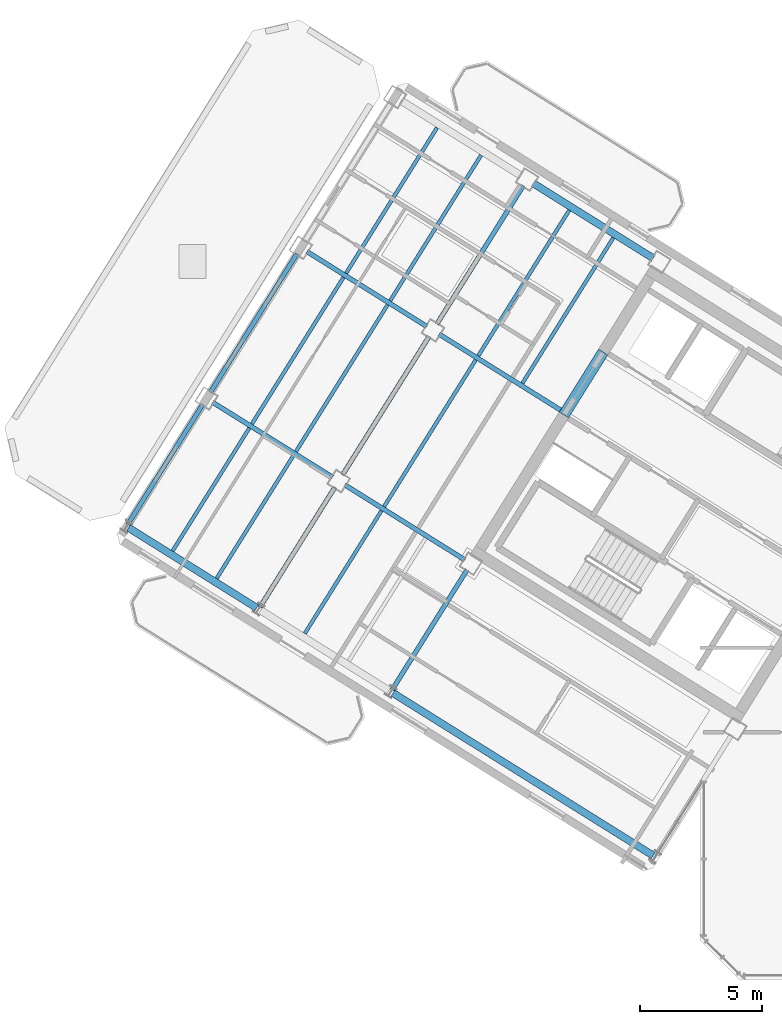
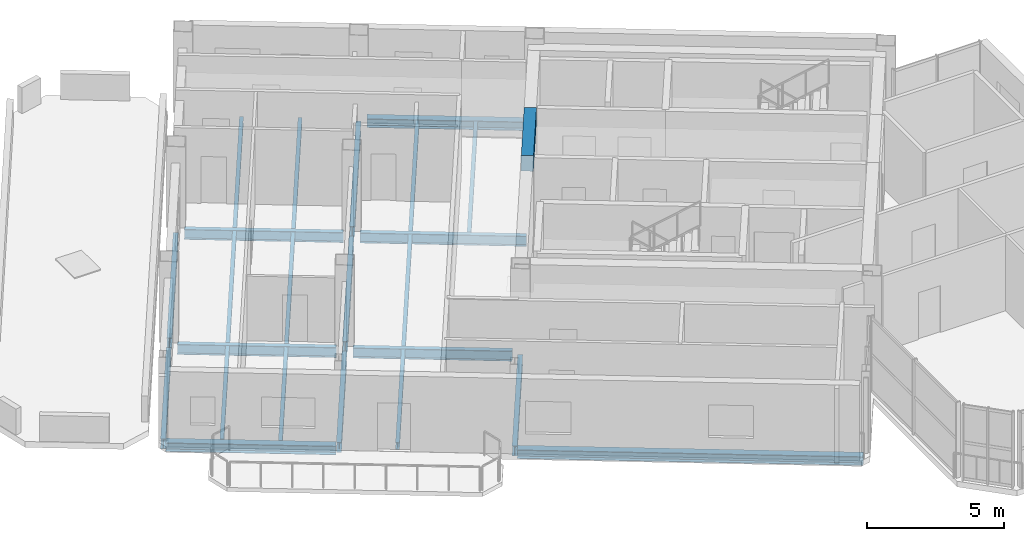
# One storey, part 3 of 12: 24 beams.
"""IFC4 building model written with IfcOpenShell, lengths in metres."""

from ifc_helpers import new_model, si_unit, direction, frame, origin, origin_2d, place, context, subcontext, project, spatial, rectangle, i_section, extrude, source, transform, mapped, material, material_profile, profile_set, type_object, element, save


model = new_model("IFC4")

# Units and contexts
model_context = context("Model", 3, precision=1e-05, world=origin(), true_north=direction((0.0, 1.0)))
body_context = subcontext(model_context, "Body", "Model", "MODEL_VIEW")
ifc_project = project(units=[si_unit("LENGTHUNIT", "METRE"), si_unit("AREAUNIT", "SQUARE_METRE"), si_unit("VOLUMEUNIT", "CUBIC_METRE"), si_unit("PLANEANGLEUNIT", "RADIAN"), si_unit("MASSUNIT", "GRAM", prefix="KILO")], contexts=[model_context])

# Site, building, storey
site_placement = place(None, origin())
site = spatial("IfcSite", under=ifc_project, at=site_placement, CompositionType="ELEMENT")
building_placement = place(site_placement, origin())
building = spatial("IfcBuilding", under=site, at=building_placement, Name="Tlacorven Tower", CompositionType="ELEMENT")
storey_placement = place(building_placement, frame((0.0, 0.0, 280.800048828125)))
storey = spatial("IfcBuildingStorey", under=building, at=storey_placement, Name="L71", CompositionType="ELEMENT", Elevation=280.800048828125)

# Beams
ifc_material_1 = material(Name="Concrete C60/75", Category="concrete")
ifc_material_profile_1 = material_profile(ifc_material_1, rectangle(XDim=0.449951171875, YDim=0.699951171875, at=origin_2d()), Name="RC 450X700")
ifc_profile_set_1 = profile_set([ifc_material_profile_1], Name="Concrete C60/75")
beam_type_1 = type_object("IfcBeamType", Name="BM-LNT-700", PredefinedType="LINTEL", material=ifc_profile_set_1)
shared_shape_1 = source(origin(), body_context, "Body", "SweptSolid", [
    extrude(rectangle(XDim=0.449951171875, YDim=0.699951171875, at=origin_2d()), origin(), (0.0, 0.0, 1.0), 3.0498046875),
])
beam_1_placement = place(storey_placement, frame((27.622802734375, 27.562255859375, 3.0), z_axis=(-0.529926983584, -0.848043272522, 0.0), x_axis=(0.848043272522, -0.529926983584, 0.0)))
element("IfcBeam", 1, at=beam_1_placement, inside=storey, type_object=beam_type_1, Name="L71 W core coupling lintel beam E2", PredefinedType="LINTEL", context=body_context, shape_type="MappedRepresentation", body=[
    mapped(shared_shape_1, transform((0.0, 0.0, 0.0), scale=1.0)),
])
ifc_material_2 = material(Name="Steel S355J2", Category="steel")
ifc_material_profile_2 = material_profile(ifc_material_2, i_section(OverallWidth=0.300048828125, OverallDepth=0.389892578125, WebThickness=0.010986328125, FlangeThickness=0.01904296875, at=origin_2d()), Name="HEA 400")
ifc_profile_set_2 = profile_set([ifc_material_profile_2], Name="Steel S355J2")
beam_type_2 = type_object("IfcBeamType", Name="BM-SPN-400", PredefinedType="SPANDREL", material=ifc_profile_set_2)
shared_shape_2 = source(origin(), body_context, "Body", "SweptSolid", [
    extrude(i_section(OverallWidth=0.300048828125, OverallDepth=0.389892578125, WebThickness=0.010986328125, FlangeThickness=0.01904296875, at=origin_2d()), origin(), (0.0, 0.0, 1.0), 12.599853515625),
])
beam_2_placement = place(storey_placement, frame((29.67578125, 6.882080078125, -0.445068359375), z_axis=(-0.848045108756, 0.529924045043, 0.0), x_axis=(-0.529924045043, -0.848045108756, 0.0)))
element("IfcBeam", 2, at=beam_2_placement, inside=storey, type_object=beam_type_2, Name="L71 beam BM-L71-WL4-1", PredefinedType="SPANDREL", context=body_context, shape_type="MappedRepresentation", body=[
    mapped(shared_shape_2, transform((0.0, 0.0, 0.0), scale=1.0)),
])
shared_shape_3 = source(origin(), body_context, "Body", "SweptSolid", [
    extrude(i_section(OverallWidth=0.300048828125, OverallDepth=0.389892578125, WebThickness=0.010986328125, FlangeThickness=0.01904296875, at=origin_2d()), origin(), (0.0, 0.0, 1.0), 6.199951171875),
])
beam_3_placement = place(storey_placement, frame((13.393310546875, 17.056396484375, -0.445068359375), z_axis=(-0.848033697614, 0.529942306022, 0.0), x_axis=(-0.529942306022, -0.848033697614, 0.0)))
element("IfcBeam", 3, at=beam_3_placement, inside=storey, type_object=beam_type_2, Name="L71 beam BM-L71-WL4-4", PredefinedType="SPANDREL", context=body_context, shape_type="MappedRepresentation", body=[
    mapped(shared_shape_3, transform((0.0, 0.0, 0.0), scale=1.0)),
])
shared_shape_4 = source(origin(), body_context, "Body", "SweptSolid", [
    extrude(i_section(OverallWidth=0.300048828125, OverallDepth=0.389892578125, WebThickness=0.010986328125, FlangeThickness=0.01904296875, at=origin_2d()), origin(), (0.0, 0.0, 1.0), 5.800048828125),
])
beam_4_placement = place(storey_placement, frame((29.673583984375, 31.410400390625, -0.445068359375), z_axis=(-0.848052689693, 0.529911912967, 0.0), x_axis=(-0.529911912967, -0.848052689693, 0.0)))
element("IfcBeam", 4, at=beam_4_placement, inside=storey, type_object=beam_type_2, Name="L71 beam BM-L71-WL1-3", PredefinedType="SPANDREL", context=body_context, shape_type="MappedRepresentation", body=[
    mapped(shared_shape_4, transform((0.0, 0.0, 0.0), scale=1.0)),
])
ifc_material_profile_3 = material_profile(ifc_material_2, i_section(OverallWidth=0.14990234375, OverallDepth=0.300048828125, WebThickness=0.007080078125, FlangeThickness=0.0107421875, at=origin_2d()), Name="IPE 300")
ifc_profile_set_3 = profile_set([ifc_material_profile_3], Name="Steel S355J2")
beam_type_3 = type_object("IfcBeamType", Name="BM-JST-300", PredefinedType="JOIST", material=ifc_profile_set_3)
shared_shape_5 = source(origin(), body_context, "Body", "SweptSolid", [
    extrude(i_section(OverallWidth=0.14990234375, OverallDepth=0.300048828125, WebThickness=0.007080078125, FlangeThickness=0.0107421875, at=origin_2d()), origin(), (0.0, 0.0, 1.0), 7.10009765625),
])
beam_5_placement = place(storey_placement, frame((22.38818359375, 27.23681640625, -0.400146484375), z_axis=(-0.529915484902, -0.848050457733, 0.0), x_axis=(0.848050457733, -0.529915484902, 0.0)))
element("IfcBeam", 5, at=beam_5_placement, inside=storey, type_object=beam_type_3, Name="L71 beam BM-L71-WJ3-2-2", PredefinedType="JOIST", context=body_context, shape_type="MappedRepresentation", body=[
    mapped(shared_shape_5, transform((0.0, 0.0, 0.0), scale=1.0)),
])
shared_shape_6 = source(origin(), body_context, "Body", "SweptSolid", [
    extrude(i_section(OverallWidth=0.14990234375, OverallDepth=0.300048828125, WebThickness=0.007080078125, FlangeThickness=0.0107421875, at=origin_2d()), origin(), (0.0, 0.0, 1.0), 7.099853515625),
])
for number, where, z_axis, x_axis, name in (
    (6, (18.769775390625, 29.497802734375, -0.400146484375), (-0.529890754507, -0.848065910344, 0.0), (0.848065910344, -0.529890754507, 0.0), "L71 beam BM-L71-WJ4-2-1"),
    (7, (16.960693359375, 30.628173828125, -0.400146484375), (-0.529930937954, -0.848040801494, 0.0), (0.848040801494, -0.529930937954, 0.0), "L71 beam BM-L71-WJ4-2-2"),
):
    element("IfcBeam", number, at=place(storey_placement, frame(where, z_axis=z_axis, x_axis=x_axis)), inside=storey, type_object=beam_type_3, Name=name, PredefinedType="JOIST", context=body_context, shape_type="MappedRepresentation", body=[
        mapped(shared_shape_6, transform((0.0, 0.0, 0.0), scale=1.0)),
    ])
shared_shape_7 = source(origin(), body_context, "Body", "SweptSolid", [
    extrude(i_section(OverallWidth=0.14990234375, OverallDepth=0.300048828125, WebThickness=0.007080078125, FlangeThickness=0.0107421875, at=origin_2d()), origin(), (0.0, 0.0, 1.0), 7.044921875),
])
for number, where, z_axis, x_axis, name in (
    (8, (28.03662109375, 32.25048828125, -0.400146484375), (-0.529899256491, -0.848060598053, 0.0), (0.848060598053, -0.529899256491, 0.0), "L71 beam BM-L71-WJ3-1-1"),
    (9, (26.2275390625, 33.380859375, -0.400146484375), (-0.529939753148, -0.848035292917, 0.0), (0.848035292917, -0.529939753148, 0.0), "L71 beam BM-L71-WJ3-1-2"),
    (10, (22.609130859375, 35.641845703125, -0.400146484375), (-0.52991483005, -0.848050866925, 0.0), (0.848050866925, -0.52991483005, 0.0), "L71 beam BM-L71-WJ4-1-1"),
):
    element("IfcBeam", number, at=place(storey_placement, frame(where, z_axis=z_axis, x_axis=x_axis)), inside=storey, type_object=beam_type_3, Name=name, PredefinedType="JOIST", context=body_context, shape_type="MappedRepresentation", body=[
        mapped(shared_shape_7, transform((0.0, 0.0, 0.0), scale=1.0)),
    ])
shared_shape_8 = source(origin(), body_context, "Body", "SweptSolid", [
    extrude(i_section(OverallWidth=0.14990234375, OverallDepth=0.300048828125, WebThickness=0.007080078125, FlangeThickness=0.0107421875, at=origin_2d()), origin(), (0.0, 0.0, 1.0), 5.945068359375),
])
for number, where, z_axis, x_axis, name in (
    (11, (18.519775390625, 21.046142578125, -0.400146484375), (-0.529914037113, -0.848051362401, 0.0), (0.848051362401, -0.529914037113, 0.0), "L71 beam BM-L71-WJ3-3-2"),
    (12, (14.9013671875, 23.30712890625, -0.400146484375), (-0.529884501938, -0.848069817059, 0.0), (0.848069817059, -0.529884501938, 0.0), "L71 beam BM-L71-WJ4-3-1"),
):
    element("IfcBeam", number, at=place(storey_placement, frame(where, z_axis=z_axis, x_axis=x_axis)), inside=storey, type_object=beam_type_3, Name=name, PredefinedType="JOIST", context=body_context, shape_type="MappedRepresentation", body=[
        mapped(shared_shape_8, transform((0.0, 0.0, 0.0), scale=1.0)),
    ])
shared_shape_9 = source(origin(), body_context, "Body", "SweptSolid", [
    extrude(i_section(OverallWidth=0.14990234375, OverallDepth=0.300048828125, WebThickness=0.007080078125, FlangeThickness=0.0107421875, at=origin_2d()), origin(), (0.0, 0.0, 1.0), 7.045166015625),
])
beam_6_placement = place(storey_placement, frame((20.800048828125, 36.7724609375, -0.400146484375), z_axis=(-0.529924179428, -0.848045024782, 0.0), x_axis=(0.848045024782, -0.529924179428, 0.0)))
element("IfcBeam", 13, at=beam_6_placement, inside=storey, type_object=beam_type_3, Name="L71 beam BM-L71-WJ4-1-2", PredefinedType="JOIST", context=body_context, shape_type="MappedRepresentation", body=[
    mapped(shared_shape_9, transform((0.0, 0.0, 0.0), scale=1.0)),
])
shared_shape_10 = source(origin(), body_context, "Body", "SweptSolid", [
    extrude(i_section(OverallWidth=0.14990234375, OverallDepth=0.300048828125, WebThickness=0.007080078125, FlangeThickness=0.0107421875, at=origin_2d()), origin(), (0.0, 0.0, 1.0), 5.94482421875),
])
beam_7_placement = place(storey_placement, frame((13.09228515625, 24.4375, -0.400146484375), z_axis=(-0.529932492401, -0.848039830136, 0.0), x_axis=(0.848039830136, -0.529932492401, 0.0)))
element("IfcBeam", 14, at=beam_7_placement, inside=storey, type_object=beam_type_3, Name="L71 beam BM-L71-WJ4-3-2", PredefinedType="JOIST", context=body_context, shape_type="MappedRepresentation", body=[
    mapped(shared_shape_10, transform((0.0, 0.0, 0.0), scale=1.0)),
])
ifc_material_profile_4 = material_profile(ifc_material_2, i_section(OverallWidth=0.18994140625, OverallDepth=0.449951171875, WebThickness=0.009521484375, FlangeThickness=0.0146484375, at=origin_2d()), Name="IPE 450")
ifc_profile_set_4 = profile_set([ifc_material_profile_4], Name="Steel S355J2")
beam_type_4 = type_object("IfcBeamType", Name="BM-TWR-450", PredefinedType="BEAM", material=ifc_profile_set_4)
shared_shape_11 = source(origin(), body_context, "Body", "SweptSolid", [
    extrude(i_section(OverallWidth=0.18994140625, OverallDepth=0.449951171875, WebThickness=0.009521484375, FlangeThickness=0.0146484375, at=origin_2d()), origin(), (0.0, 0.0, 1.0), 6.06005859375),
])
beam_8_placement = place(storey_placement, frame((26.025634765625, 25.081787109375, -0.47509765625), z_axis=(-0.848039041052, 0.529933755154, 0.0), x_axis=(-0.529933755154, -0.848039041052, 0.0)))
element("IfcBeam", 15, at=beam_8_placement, inside=storey, type_object=beam_type_4, Name="L71 beam BM-L71-WL2-3", PredefinedType="BEAM", context=body_context, shape_type="MappedRepresentation", body=[
    mapped(shared_shape_11, transform((0.0, 0.0, 0.0), scale=1.0)),
])
shared_shape_12 = source(origin(), body_context, "Body", "SweptSolid", [
    extrude(i_section(OverallWidth=0.18994140625, OverallDepth=0.449951171875, WebThickness=0.009521484375, FlangeThickness=0.0146484375, at=origin_2d()), origin(), (0.0, 0.0, 1.0), 5.800048828125),
])
for number, where, z_axis, x_axis, name in (
    (16, (20.377685546875, 28.611083984375, -0.47509765625), (-0.848052689693, 0.529911912967, 0.0), (-0.529911912967, -0.848052689693, 0.0), "L71 beam BM-L71-WL2-4"),
    (17, (21.936767578125, 19.02880859375, -0.47509765625), (-0.848052689693, 0.529911912967, 0.0), (-0.529911912967, -0.848052689693, 0.0), "L71 beam BM-L71-WL3-3"),
    (18, (16.50927734375, 22.42041015625, -0.47509765625), (-0.848052689693, 0.529911912967, 0.0), (-0.529911912967, -0.848052689693, 0.0), "L71 beam BM-L71-WL3-4"),
    (19, (22.0322265625, 18.615478515625, -0.47509765625), (-0.52994218514, -0.848033773154, 0.0), (0.848033773154, -0.52994218514, 0.0), "L71 beam BM-L71-WT3-2"),
    (20, (16.604736328125, 22.0068359375, -0.47509765625), (-0.52994218514, -0.848033773154, 0.0), (0.848033773154, -0.52994218514, 0.0), "L71 beam BM-L71-WT4-3"),
    (21, (11.17724609375, 25.3984375, -0.47509765625), (-0.52994218514, -0.848033773154, 0.0), (0.848033773154, -0.52994218514, 0.0), "L71 beam BM-L71-WT5-3"),
):
    element("IfcBeam", number, at=place(storey_placement, frame(where, z_axis=z_axis, x_axis=x_axis)), inside=storey, type_object=beam_type_4, Name=name, PredefinedType="BEAM", context=body_context, shape_type="MappedRepresentation", body=[
        mapped(shared_shape_12, transform((0.0, 0.0, 0.0), scale=1.0)),
    ])
shared_shape_13 = source(origin(), body_context, "Body", "SweptSolid", [
    extrude(i_section(OverallWidth=0.18994140625, OverallDepth=0.449951171875, WebThickness=0.009521484375, FlangeThickness=0.0146484375, at=origin_2d()), origin(), (0.0, 0.0, 1.0), 6.699951171875),
])
for number, where, z_axis, x_axis, name in (
    (22, (24.341552734375, 34.388427734375, -0.47509765625), (-0.529930154818, -0.848041290867, 0.0), (0.848041290867, -0.529930154818, 0.0), "L71 beam BM-L71-WT4-1"),
    (23, (20.47314453125, 28.19775390625, -0.47509765625), (-0.529930154818, -0.848041290867, 0.0), (0.848041290867, -0.529930154818, 0.0), "L71 beam BM-L71-WT4-2"),
    (24, (15.045654296875, 31.589111328125, -0.47509765625), (-0.529930154818, -0.848041290867, 0.0), (0.848041290867, -0.529930154818, 0.0), "L71 beam BM-L71-WT5-2"),
):
    element("IfcBeam", number, at=place(storey_placement, frame(where, z_axis=z_axis, x_axis=x_axis)), inside=storey, type_object=beam_type_4, Name=name, PredefinedType="BEAM", context=body_context, shape_type="MappedRepresentation", body=[
        mapped(shared_shape_13, transform((0.0, 0.0, 0.0), scale=1.0)),
    ])

save(model, "model.ifc")
